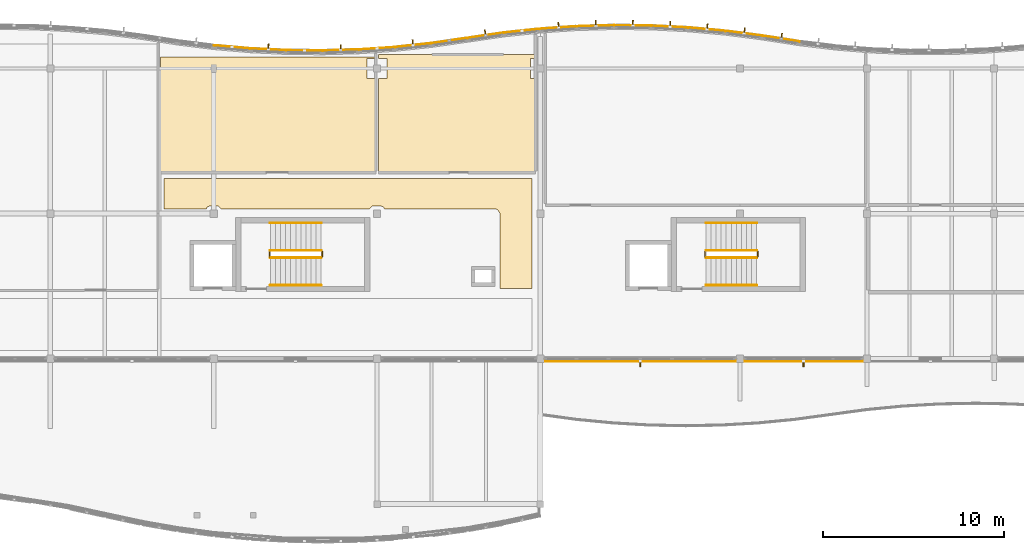
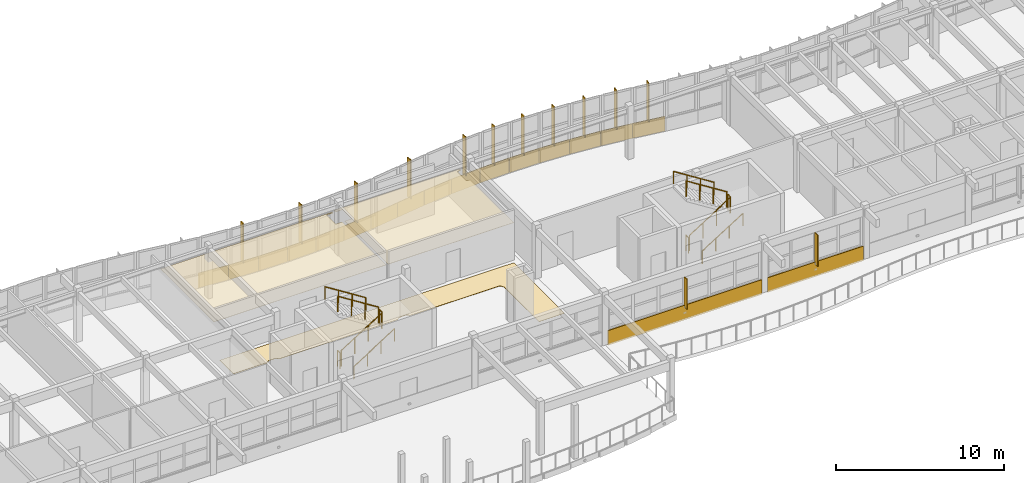
# One storey, part 62 of 63: 21 coverings, 13 shading devices, 12 railings.
"""IFC4 building model written with IfcOpenShell, lengths in metres."""

from ifc_helpers import new_model, si_unit, direction, frame, origin, origin_2d, place, context, subcontext, project, spatial, polyline, rectangle, circle, outline, extrude, material, layer, layer_set, type_object, element, save


model = new_model("IFC4")

# Units and contexts
model_context = context("Model", 3, precision=1e-05, world=origin(), true_north=direction((0.0, 1.0)))
body_context = subcontext(model_context, "Body", "Model", "MODEL_VIEW")
ifc_project = project(units=[si_unit("LENGTHUNIT", "METRE"), si_unit("AREAUNIT", "SQUARE_METRE"), si_unit("VOLUMEUNIT", "CUBIC_METRE"), si_unit("PLANEANGLEUNIT", "RADIAN"), si_unit("MASSUNIT", "GRAM", prefix="KILO")], contexts=[model_context])

# Site, building, storey
site_placement = place(None, origin())
site = spatial("IfcSite", under=ifc_project, at=site_placement, CompositionType="ELEMENT")
building_placement = place(site_placement, origin())
building = spatial("IfcBuilding", under=site, at=building_placement, Name="Tonlespit Floodbar School", CompositionType="ELEMENT")
storey_placement = place(building_placement, frame((0.0, 0.0, 8.39990234375)))
storey = spatial("IfcBuildingStorey", under=building, at=storey_placement, Name="L02", CompositionType="ELEMENT", Elevation=8.39990234375)

# Coverings
ifc_material_1 = material(Name="Acoustic Mineral Tile")
ifc_layer_1 = layer(ifc_material_1, 0.02001953125)
ifc_layer_set_1 = layer_set([ifc_layer_1], Name="Acoustic Mineral Tile")
covering_type_1 = type_object("IfcCoveringType", Name="Ceiling_Acoustic_20", PredefinedType="CEILING", material=ifc_layer_set_1)
covering_1_placement = place(storey_placement, frame((0.0, 0.0, 2.650146484375)))
element("IfcCovering", 1, at=covering_1_placement, inside=storey, type_object=covering_type_1, Name="L02 Upper Primary Classroom 204 acoustic ceiling", PredefinedType="CEILING", context=body_context, shape_type="SweptSolid", body=[
    extrude(outline(polyline([(106.449951171875, 119.449951171875), (106.929931640625, 119.449951171875), (106.929931640625, 114.27001953125), (95.070068359375, 114.27001953125), (95.070068359375, 120.64306640625), (106.929931640625, 120.64306640625), (106.929931640625, 120.550048828125), (106.449951171875, 120.550048828125), (106.449951171875, 119.449951171875)])), origin(), (0.0, 0.0, 1.0), 0.02001953125),
])
covering_2_placement = place(storey_placement, frame((0.0, 0.0, 2.650146484375)))
element("IfcCovering", 2, at=covering_2_placement, inside=storey, type_object=covering_type_1, Name="L02 Digital Media Classroom acoustic ceiling", PredefinedType="CEILING", context=body_context, shape_type="SweptSolid", body=[
    extrude(outline(polyline([(107.070068359375, 120.550048828125), (107.070068359375, 120.758544921875), (115.72998046875, 120.758544921875), (115.72998046875, 120.550048828125), (115.449951171875, 120.550048828125), (115.449951171875, 119.449951171875), (115.72998046875, 119.449951171875), (115.72998046875, 114.27001953125), (107.070068359375, 114.27001953125), (107.070068359375, 119.449951171875), (107.550048828125, 119.449951171875), (107.550048828125, 120.550048828125), (107.070068359375, 120.550048828125)])), origin(), (0.0, 0.0, 1.0), 0.02001953125),
])
ifc_material_2 = material(Name="White Architectural Aluminium", Category="aluminium")
ifc_layer_2 = layer(ifc_material_2, 0.050048828125)
ifc_layer_set_2 = layer_set([ifc_layer_2], Name="White Architectural Aluminium")
covering_type_2 = type_object("IfcCoveringType", Name="Cladding_WhiteBand_50", PredefinedType="CLADDING", material=ifc_layer_set_2)
covering_3_placement = place(storey_placement, frame((0.0, 0.0, -0.119873046875)))
element("IfcCovering", 3, at=covering_3_placement, inside=storey, type_object=covering_type_2, Name="L02 curved white spandrel cladding 0158", PredefinedType="CLADDING", context=body_context, shape_type="SweptSolid", body=[
    extrude(outline(polyline([(98.0087890625, 121.241943359375), (100.0087890625, 121.068115234375), (100.012939453125, 121.117919921875), (98.012939453125, 121.291748046875), (98.0087890625, 121.241943359375)])), origin(), (0.0, 0.0, 1.0), 1.070068359375),
])
covering_4_placement = place(storey_placement, frame((0.0, 0.0, -0.119873046875)))
element("IfcCovering", 4, at=covering_4_placement, inside=storey, type_object=covering_type_2, Name="L02 curved white spandrel cladding 0159", PredefinedType="CLADDING", context=body_context, shape_type="SweptSolid", body=[
    extrude(outline(polyline([(100.0048828125, 121.068359375), (102.0048828125, 120.97216796875), (102.007080078125, 121.02197265625), (100.007080078125, 121.118408203125), (100.0048828125, 121.068359375)])), origin(), (0.0, 0.0, 1.0), 1.070068359375),
])
covering_5_placement = place(storey_placement, frame((0.0, 0.0, -0.119873046875)))
element("IfcCovering", 5, at=covering_5_placement, inside=storey, type_object=covering_type_2, Name="L02 curved white spandrel cladding 0160", PredefinedType="CLADDING", context=body_context, shape_type="SweptSolid", body=[
    extrude(outline(polyline([(102.0009765625, 120.97216796875), (104.0009765625, 120.952880859375), (104.00146484375, 121.0029296875), (102.00146484375, 121.022216796875), (102.0009765625, 120.97216796875)])), origin(), (0.0, 0.0, 1.0), 1.070068359375),
])
covering_6_placement = place(storey_placement, frame((0.0, 0.0, -0.119873046875)))
element("IfcCovering", 6, at=covering_6_placement, inside=storey, type_object=covering_type_2, Name="L02 curved white spandrel cladding 0161", PredefinedType="CLADDING", context=body_context, shape_type="SweptSolid", body=[
    extrude(outline(polyline([(103.9970703125, 120.952880859375), (105.9970703125, 121.0107421875), (105.99560546875, 121.060791015625), (103.99560546875, 121.0029296875), (103.9970703125, 120.952880859375)])), origin(), (0.0, 0.0, 1.0), 1.070068359375),
])
covering_7_placement = place(storey_placement, frame((0.0, 0.0, -0.119873046875)))
element("IfcCovering", 7, at=covering_7_placement, inside=storey, type_object=covering_type_2, Name="L02 curved white spandrel cladding 0162", PredefinedType="CLADDING", context=body_context, shape_type="SweptSolid", body=[
    extrude(outline(polyline([(105.993408203125, 121.010498046875), (107.993408203125, 121.1455078125), (107.989990234375, 121.1953125), (105.989990234375, 121.060302734375), (105.993408203125, 121.010498046875)])), origin(), (0.0, 0.0, 1.0), 1.070068359375),
])
covering_8_placement = place(storey_placement, frame((0.0, 0.0, -0.119873046875)))
element("IfcCovering", 8, at=covering_8_placement, inside=storey, type_object=covering_type_2, Name="L02 curved white spandrel cladding 0163", PredefinedType="CLADDING", context=body_context, shape_type="SweptSolid", body=[
    extrude(outline(polyline([(107.989501953125, 121.14501953125), (109.989501953125, 121.35791015625), (109.984130859375, 121.407470703125), (107.984130859375, 121.19482421875), (107.989501953125, 121.14501953125)])), origin(), (0.0, 0.0, 1.0), 1.070068359375),
])
covering_9_placement = place(storey_placement, frame((0.0, 0.0, -0.119873046875)))
element("IfcCovering", 9, at=covering_9_placement, inside=storey, type_object=covering_type_2, Name="L02 curved white spandrel cladding 0164", PredefinedType="CLADDING", context=body_context, shape_type="SweptSolid", body=[
    extrude(outline(polyline([(109.985595703125, 121.357421875), (111.985595703125, 121.64892578125), (111.978515625, 121.698486328125), (109.978515625, 121.406982421875), (109.985595703125, 121.357421875)])), origin(), (0.0, 0.0, 1.0), 1.070068359375),
])
covering_10_placement = place(storey_placement, frame((0.0, 0.0, -0.119873046875)))
element("IfcCovering", 10, at=covering_10_placement, inside=storey, type_object=covering_type_2, Name="L02 curved white spandrel cladding 0165", PredefinedType="CLADDING", context=body_context, shape_type="SweptSolid", body=[
    extrude(outline(polyline([(111.985595703125, 121.64892578125), (113.985595703125, 121.940673828125), (113.978515625, 121.989990234375), (111.978515625, 121.698486328125), (111.985595703125, 121.64892578125)])), origin(), (0.0, 0.0, 1.0), 1.070068359375),
])
covering_11_placement = place(storey_placement, frame((0.0, 0.0, -0.119873046875)))
element("IfcCovering", 11, at=covering_11_placement, inside=storey, type_object=covering_type_2, Name="L02 curved white spandrel cladding 0166", PredefinedType="CLADDING", context=body_context, shape_type="SweptSolid", body=[
    extrude(outline(polyline([(113.989501953125, 121.94091796875), (115.989501953125, 122.15380859375), (115.984130859375, 122.203369140625), (113.984130859375, 121.99072265625), (113.989501953125, 121.94091796875)])), origin(), (0.0, 0.0, 1.0), 1.070068359375),
])
covering_12_placement = place(storey_placement, frame((0.0, 0.0, -0.119873046875)))
element("IfcCovering", 12, at=covering_12_placement, inside=storey, type_object=covering_type_2, Name="L02 curved white spandrel cladding 0664", PredefinedType="CLADDING", context=body_context, shape_type="SweptSolid", body=[
    extrude(outline(polyline([(115.993408203125, 122.154052734375), (118.03173828125, 122.291015625), (118.028564453125, 122.3408203125), (115.989990234375, 122.2041015625), (115.993408203125, 122.154052734375)])), origin(), (0.0, 0.0, 1.0), 1.070068359375),
])
covering_13_placement = place(storey_placement, frame((0.0, 0.0, -0.119873046875)))
element("IfcCovering", 13, at=covering_13_placement, inside=storey, type_object=covering_type_2, Name="L02 curved white spandrel cladding 0665", PredefinedType="CLADDING", context=body_context, shape_type="SweptSolid", body=[
    extrude(outline(polyline([(118.03564453125, 122.291015625), (120.07421875, 122.34765625), (120.07275390625, 122.397705078125), (118.0341796875, 122.341064453125), (118.03564453125, 122.291015625)])), origin(), (0.0, 0.0, 1.0), 1.070068359375),
])
covering_14_placement = place(storey_placement, frame((0.0, 0.0, -0.119873046875)))
element("IfcCovering", 14, at=covering_14_placement, inside=storey, type_object=covering_type_2, Name="L02 curved white spandrel cladding 0666", PredefinedType="CLADDING", context=body_context, shape_type="SweptSolid", body=[
    extrude(outline(polyline([(120.077880859375, 122.34765625), (122.116455078125, 122.32421875), (122.1171875, 122.374267578125), (120.07861328125, 122.397705078125), (120.077880859375, 122.34765625)])), origin(), (0.0, 0.0, 1.0), 1.070068359375),
])
covering_15_placement = place(storey_placement, frame((0.0, 0.0, -0.119873046875)))
element("IfcCovering", 15, at=covering_15_placement, inside=storey, type_object=covering_type_2, Name="L02 curved white spandrel cladding 0667", PredefinedType="CLADDING", context=body_context, shape_type="SweptSolid", body=[
    extrude(outline(polyline([(122.12060546875, 122.32421875), (124.158935546875, 122.220703125), (124.161376953125, 122.270751953125), (122.123046875, 122.3740234375), (122.12060546875, 122.32421875)])), origin(), (0.0, 0.0, 1.0), 1.070068359375),
])
covering_16_placement = place(storey_placement, frame((0.0, 0.0, -0.119873046875)))
element("IfcCovering", 16, at=covering_16_placement, inside=storey, type_object=covering_type_2, Name="L02 curved white spandrel cladding 0668", PredefinedType="CLADDING", context=body_context, shape_type="SweptSolid", body=[
    extrude(outline(polyline([(124.162841796875, 122.220458984375), (126.201416015625, 122.03662109375), (126.205810546875, 122.086181640625), (124.167236328125, 122.270263671875), (124.162841796875, 122.220458984375)])), origin(), (0.0, 0.0, 1.0), 1.070068359375),
])
covering_17_placement = place(storey_placement, frame((0.0, 0.0, -0.119873046875)))
element("IfcCovering", 17, at=covering_17_placement, inside=storey, type_object=covering_type_2, Name="L02 curved white spandrel cladding 0669", PredefinedType="CLADDING", context=body_context, shape_type="SweptSolid", body=[
    extrude(outline(polyline([(126.205078125, 122.0361328125), (128.24365234375, 121.770751953125), (128.250244140625, 121.8203125), (126.211669921875, 122.085693359375), (126.205078125, 122.0361328125)])), origin(), (0.0, 0.0, 1.0), 1.070068359375),
])
covering_18_placement = place(storey_placement, frame((0.0, 0.0, -0.119873046875)))
element("IfcCovering", 18, at=covering_18_placement, inside=storey, type_object=covering_type_2, Name="L02 curved white spandrel cladding 0670", PredefinedType="CLADDING", context=body_context, shape_type="SweptSolid", body=[
    extrude(outline(polyline([(128.24609375, 121.770263671875), (130.284423828125, 121.45458984375), (130.292236328125, 121.50390625), (128.25390625, 121.819580078125), (128.24609375, 121.770263671875)])), origin(), (0.0, 0.0, 1.0), 1.070068359375),
])
covering_19_placement = place(storey_placement, frame((0.0, 0.0, -0.119873046875)))
element("IfcCovering", 19, at=covering_19_placement, inside=storey, type_object=covering_type_2, Name="L02 curved white spandrel cladding 0695", PredefinedType="CLADDING", context=body_context, shape_type="SweptSolid", body=[
    extrude(outline(polyline([(133.800048828125, 103.89990234375), (127.199951171875, 103.89990234375), (127.199951171875, 103.85009765625), (133.800048828125, 103.85009765625), (133.800048828125, 103.89990234375)])), origin(), (0.0, 0.0, 1.0), 1.070068359375),
])
covering_20_placement = place(storey_placement, frame((0.0, 0.0, -0.119873046875)))
element("IfcCovering", 20, at=covering_20_placement, inside=storey, type_object=covering_type_2, Name="L02 curved white spandrel cladding 0696", PredefinedType="CLADDING", context=body_context, shape_type="SweptSolid", body=[
    extrude(outline(polyline([(126.800048828125, 103.89990234375), (116.199951171875, 103.89990234375), (116.199951171875, 103.85009765625), (126.800048828125, 103.85009765625), (126.800048828125, 103.89990234375)])), origin(), (0.0, 0.0, 1.0), 1.070068359375),
])
ifc_material_3 = material(Name="Terrazzo Tile")
ifc_layer_3 = layer(ifc_material_3, 0.02001953125)
ifc_layer_set_3 = layer_set([ifc_layer_3], Name="Terrazzo Tile")
covering_type_3 = type_object("IfcCoveringType", Name="Flooring_Terrazzo_20", PredefinedType="FLOORING", material=ifc_layer_set_3)
covering_21_placement = place(storey_placement, origin())
element("IfcCovering", 21, at=covering_21_placement, inside=storey, type_object=covering_type_3, Name="L02 East Lobby Passage L02 terrazzo flooring", PredefinedType="FLOORING", context=body_context, shape_type="SweptSolid", body=[
    extrude(outline(polyline([(97.586669921875, 112.27001953125), (95.27001953125, 112.27001953125), (95.27001953125, 113.929931640625), (115.530029296875, 113.929931640625), (115.530029296875, 107.8701171875), (113.77001953125, 107.8701171875), (113.76904296875, 112.01953125), (113.66845703125, 112.195556640625), (113.552734375, 112.264892578125), (107.413330078125, 112.27001953125), (107.346923828125, 112.37451171875), (107.219970703125, 112.419921875), (106.740966796875, 112.416259765625), (106.586669921875, 112.27001953125), (98.413330078125, 112.27001953125), (98.259033203125, 112.416259765625), (97.780029296875, 112.419921875), (97.653076171875, 112.37451171875), (97.586669921875, 112.27001953125)])), origin(), (0.0, 0.0, 1.0), 0.02001953125),
])

# Railings
ifc_material_4 = material(Name="Galvanised Steel", Category="steel")
railing_type_1 = type_object("IfcRailingType", Name="Guard_Int_1150", PredefinedType="BALUSTRADE", material=ifc_material_4)
railing_1_placement = place(storey_placement, frame((101.1201171875, 109.570068359375, 0.177490234375)))
element("IfcRailing", 22, at=railing_1_placement, inside=storey, type_object=railing_type_1, Name="L02 ST-C2 stair guard 1", PredefinedType="BALUSTRADE", context=body_context, shape_type="SweptSolid", body=[
    extrude(circle(Radius=0.02392578125, at=origin_2d()), frame((0.0, 0.0, 1.1259765625), z_axis=(0.844887892834, 0.0, 0.53494340686), x_axis=(0.0, 1.0, 0.0)), (0.0, 0.0, 1.0), 3.313720703125),
    extrude(circle(Radius=0.02099609375, at=origin_2d()), origin(), (0.0, 0.0, 1.0), 1.101806640625),
    extrude(circle(Radius=0.02099609375, at=origin_2d()), frame((0.933349609375, 0.0, 0.5908203125)), (0.0, 0.0, 1.0), 1.101806640625),
    extrude(circle(Radius=0.02099609375, at=origin_2d()), frame((1.866455078125, 0.0, 1.181884765625)), (0.0, 0.0, 1.0), 1.101806640625),
    extrude(circle(Radius=0.02099609375, at=origin_2d()), frame((2.7998046875, 0.0, 1.772705078125)), (0.0, 0.0, 1.0), 1.101806640625),
])
railing_2_placement = place(storey_placement, frame((103.969970703125, 109.6201171875, 1.9501953125)))
element("IfcRailing", 23, at=railing_2_placement, inside=storey, type_object=railing_type_1, Name="L02 ST-C2 stair guard 2", PredefinedType="BALUSTRADE", context=body_context, shape_type="SweptSolid", body=[
    extrude(circle(Radius=0.02392578125, at=origin_2d()), frame((0.0, 0.0, 1.1259765625), z_axis=(0.0, 1.0, 0.0), x_axis=(-1.0, 0.0, 0.0)), (0.0, 0.0, 1.0), 0.2998046875),
    extrude(circle(Radius=0.02099609375, at=origin_2d()), origin(), (0.0, 0.0, 1.0), 1.101806640625),
    extrude(circle(Radius=0.02099609375, at=origin_2d()), frame((0.0, 0.2998046875, 0.0)), (0.0, 0.0, 1.0), 1.101806640625),
])
railing_3_placement = place(storey_placement, frame((103.919921875, 109.969970703125, 2.12744140625)))
element("IfcRailing", 24, at=railing_3_placement, inside=storey, type_object=railing_type_1, Name="L02 ST-C2 stair guard 3", PredefinedType="BALUSTRADE", context=body_context, shape_type="SweptSolid", body=[
    extrude(circle(Radius=0.02392578125, at=origin_2d()), frame((0.0, 0.0, 1.1259765625), z_axis=(-0.844887892834, 0.0, 0.53494340686), x_axis=(0.0, -1.0, 0.0)), (0.0, 0.0, 1.0), 3.313720703125),
    extrude(circle(Radius=0.02099609375, at=origin_2d()), origin(), (0.0, 0.0, 1.0), 1.101806640625),
    extrude(circle(Radius=0.02099609375, at=origin_2d()), frame((-0.933349609375, 0.0, 0.5908203125)), (0.0, 0.0, 1.0), 1.101806640625),
    extrude(circle(Radius=0.02099609375, at=origin_2d()), frame((-1.866455078125, 0.0, 1.181884765625)), (0.0, 0.0, 1.0), 1.101806640625),
    extrude(circle(Radius=0.02099609375, at=origin_2d()), frame((-2.7998046875, 0.0, 1.772705078125)), (0.0, 0.0, 1.0), 1.101806640625),
])
railing_4_placement = place(storey_placement, frame((101.070068359375, 109.6201171875, 0.0)))
element("IfcRailing", 25, at=railing_4_placement, inside=storey, type_object=railing_type_1, Name="L02 ST-C2 stair guard 4", PredefinedType="BALUSTRADE", context=body_context, shape_type="SweptSolid", body=[
    extrude(circle(Radius=0.02392578125, at=origin_2d()), frame((0.0, 0.0, 1.1259765625), z_axis=(0.0, 1.0, 0.0), x_axis=(-1.0, 0.0, 0.0)), (0.0, 0.0, 1.0), 0.2998046875),
    extrude(circle(Radius=0.02099609375, at=origin_2d()), origin(), (0.0, 0.0, 1.0), 1.101806640625),
    extrude(circle(Radius=0.02099609375, at=origin_2d()), frame((0.0, 0.2998046875, 0.0)), (0.0, 0.0, 1.0), 1.101806640625),
])
railing_5_placement = place(storey_placement, frame((125.1201171875, 109.570068359375, 0.177490234375)))
element("IfcRailing", 26, at=railing_5_placement, inside=storey, type_object=railing_type_1, Name="L02 ST-C4 stair guard 1", PredefinedType="BALUSTRADE", context=body_context, shape_type="SweptSolid", body=[
    extrude(circle(Radius=0.02392578125, at=origin_2d()), frame((0.0, 0.0, 1.1259765625), z_axis=(0.844887892834, 0.0, 0.53494340686), x_axis=(0.0, 1.0, 0.0)), (0.0, 0.0, 1.0), 3.313720703125),
    extrude(circle(Radius=0.02099609375, at=origin_2d()), origin(), (0.0, 0.0, 1.0), 1.101806640625),
    extrude(circle(Radius=0.02099609375, at=origin_2d()), frame((0.933349609375, 0.0, 0.5908203125)), (0.0, 0.0, 1.0), 1.101806640625),
    extrude(circle(Radius=0.02099609375, at=origin_2d()), frame((1.866455078125, 0.0, 1.181884765625)), (0.0, 0.0, 1.0), 1.101806640625),
    extrude(circle(Radius=0.02099609375, at=origin_2d()), frame((2.7998046875, 0.0, 1.772705078125)), (0.0, 0.0, 1.0), 1.101806640625),
])
railing_6_placement = place(storey_placement, frame((127.969970703125, 109.6201171875, 1.9501953125)))
element("IfcRailing", 27, at=railing_6_placement, inside=storey, type_object=railing_type_1, Name="L02 ST-C4 stair guard 2", PredefinedType="BALUSTRADE", context=body_context, shape_type="SweptSolid", body=[
    extrude(circle(Radius=0.02392578125, at=origin_2d()), frame((0.0, 0.0, 1.1259765625), z_axis=(0.0, 1.0, 0.0), x_axis=(-1.0, 0.0, 0.0)), (0.0, 0.0, 1.0), 0.2998046875),
    extrude(circle(Radius=0.02099609375, at=origin_2d()), origin(), (0.0, 0.0, 1.0), 1.101806640625),
    extrude(circle(Radius=0.02099609375, at=origin_2d()), frame((0.0, 0.2998046875, 0.0)), (0.0, 0.0, 1.0), 1.101806640625),
])
railing_7_placement = place(storey_placement, frame((127.919921875, 109.969970703125, 2.12744140625)))
element("IfcRailing", 28, at=railing_7_placement, inside=storey, type_object=railing_type_1, Name="L02 ST-C4 stair guard 3", PredefinedType="BALUSTRADE", context=body_context, shape_type="SweptSolid", body=[
    extrude(circle(Radius=0.02392578125, at=origin_2d()), frame((0.0, 0.0, 1.1259765625), z_axis=(-0.844887892834, 0.0, 0.53494340686), x_axis=(0.0, -1.0, 0.0)), (0.0, 0.0, 1.0), 3.313720703125),
    extrude(circle(Radius=0.02099609375, at=origin_2d()), origin(), (0.0, 0.0, 1.0), 1.101806640625),
    extrude(circle(Radius=0.02099609375, at=origin_2d()), frame((-0.933349609375, 0.0, 0.5908203125)), (0.0, 0.0, 1.0), 1.101806640625),
    extrude(circle(Radius=0.02099609375, at=origin_2d()), frame((-1.866455078125, 0.0, 1.181884765625)), (0.0, 0.0, 1.0), 1.101806640625),
    extrude(circle(Radius=0.02099609375, at=origin_2d()), frame((-2.7998046875, 0.0, 1.772705078125)), (0.0, 0.0, 1.0), 1.101806640625),
])
railing_8_placement = place(storey_placement, frame((125.070068359375, 109.6201171875, 0.0)))
element("IfcRailing", 29, at=railing_8_placement, inside=storey, type_object=railing_type_1, Name="L02 ST-C4 stair guard 4", PredefinedType="BALUSTRADE", context=body_context, shape_type="SweptSolid", body=[
    extrude(circle(Radius=0.02392578125, at=origin_2d()), frame((0.0, 0.0, 1.1259765625), z_axis=(0.0, 1.0, 0.0), x_axis=(-1.0, 0.0, 0.0)), (0.0, 0.0, 1.0), 0.2998046875),
    extrude(circle(Radius=0.02099609375, at=origin_2d()), origin(), (0.0, 0.0, 1.0), 1.101806640625),
    extrude(circle(Radius=0.02099609375, at=origin_2d()), frame((0.0, 0.2998046875, 0.0)), (0.0, 0.0, 1.0), 1.101806640625),
])
railing_type_2 = type_object("IfcRailingType", Name="Handrail_Int_920", PredefinedType="HANDRAIL", material=ifc_material_4)
railing_9_placement = place(storey_placement, frame((101.1201171875, 108.050048828125, 0.177490234375)))
element("IfcRailing", 30, at=railing_9_placement, inside=storey, type_object=railing_type_2, Name="L02 ST-C2 stair handrail 1", PredefinedType="HANDRAIL", context=body_context, shape_type="SweptSolid", body=[
    extrude(circle(Radius=0.02392578125, at=origin_2d()), frame((0.0, 0.0, 0.89599609375), z_axis=(0.844887892834, 0.0, 0.53494340686), x_axis=(0.0, 1.0, 0.0)), (0.0, 0.0, 1.0), 3.313720703125),
    extrude(circle(Radius=0.02099609375, at=origin_2d()), origin(), (0.0, 0.0, 1.0), 0.871826171875),
    extrude(circle(Radius=0.02099609375, at=origin_2d()), frame((0.933349609375, 0.0, 0.5908203125)), (0.0, 0.0, 1.0), 0.871826171875),
    extrude(circle(Radius=0.02099609375, at=origin_2d()), frame((1.866455078125, 0.0, 1.181884765625)), (0.0, 0.0, 1.0), 0.871826171875),
    extrude(circle(Radius=0.02099609375, at=origin_2d()), frame((2.7998046875, 0.0, 1.772705078125)), (0.0, 0.0, 1.0), 0.871826171875),
])
railing_10_placement = place(storey_placement, frame((103.919921875, 111.489990234375, 2.12744140625)))
element("IfcRailing", 31, at=railing_10_placement, inside=storey, type_object=railing_type_2, Name="L02 ST-C2 stair handrail 2", PredefinedType="HANDRAIL", context=body_context, shape_type="SweptSolid", body=[
    extrude(circle(Radius=0.02392578125, at=origin_2d()), frame((0.0, 0.0, 0.89599609375), z_axis=(-0.844887892834, 0.0, 0.53494340686), x_axis=(0.0, -1.0, 0.0)), (0.0, 0.0, 1.0), 3.313720703125),
    extrude(circle(Radius=0.02099609375, at=origin_2d()), origin(), (0.0, 0.0, 1.0), 0.871826171875),
    extrude(circle(Radius=0.02099609375, at=origin_2d()), frame((-0.933349609375, 0.0, 0.5908203125)), (0.0, 0.0, 1.0), 0.871826171875),
    extrude(circle(Radius=0.02099609375, at=origin_2d()), frame((-1.866455078125, 0.0, 1.181884765625)), (0.0, 0.0, 1.0), 0.871826171875),
    extrude(circle(Radius=0.02099609375, at=origin_2d()), frame((-2.7998046875, 0.0, 1.772705078125)), (0.0, 0.0, 1.0), 0.871826171875),
])
railing_11_placement = place(storey_placement, frame((125.1201171875, 108.050048828125, 0.177490234375)))
element("IfcRailing", 32, at=railing_11_placement, inside=storey, type_object=railing_type_2, Name="L02 ST-C4 stair handrail 1", PredefinedType="HANDRAIL", context=body_context, shape_type="SweptSolid", body=[
    extrude(circle(Radius=0.02392578125, at=origin_2d()), frame((0.0, 0.0, 0.89599609375), z_axis=(0.844887892834, 0.0, 0.53494340686), x_axis=(0.0, 1.0, 0.0)), (0.0, 0.0, 1.0), 3.313720703125),
    extrude(circle(Radius=0.02099609375, at=origin_2d()), origin(), (0.0, 0.0, 1.0), 0.871826171875),
    extrude(circle(Radius=0.02099609375, at=origin_2d()), frame((0.933349609375, 0.0, 0.5908203125)), (0.0, 0.0, 1.0), 0.871826171875),
    extrude(circle(Radius=0.02099609375, at=origin_2d()), frame((1.866455078125, 0.0, 1.181884765625)), (0.0, 0.0, 1.0), 0.871826171875),
    extrude(circle(Radius=0.02099609375, at=origin_2d()), frame((2.7998046875, 0.0, 1.772705078125)), (0.0, 0.0, 1.0), 0.871826171875),
])
railing_12_placement = place(storey_placement, frame((127.919921875, 111.489990234375, 2.12744140625)))
element("IfcRailing", 33, at=railing_12_placement, inside=storey, type_object=railing_type_2, Name="L02 ST-C4 stair handrail 2", PredefinedType="HANDRAIL", context=body_context, shape_type="SweptSolid", body=[
    extrude(circle(Radius=0.02392578125, at=origin_2d()), frame((0.0, 0.0, 0.89599609375), z_axis=(-0.844887892834, 0.0, 0.53494340686), x_axis=(0.0, -1.0, 0.0)), (0.0, 0.0, 1.0), 3.313720703125),
    extrude(circle(Radius=0.02099609375, at=origin_2d()), origin(), (0.0, 0.0, 1.0), 0.871826171875),
    extrude(circle(Radius=0.02099609375, at=origin_2d()), frame((-0.933349609375, 0.0, 0.5908203125)), (0.0, 0.0, 1.0), 0.871826171875),
    extrude(circle(Radius=0.02099609375, at=origin_2d()), frame((-1.866455078125, 0.0, 1.181884765625)), (0.0, 0.0, 1.0), 0.871826171875),
    extrude(circle(Radius=0.02099609375, at=origin_2d()), frame((-2.7998046875, 0.0, 1.772705078125)), (0.0, 0.0, 1.0), 0.871826171875),
])

# Shading devices
ifc_material_5 = material(Name="Terracotta Anodised Aluminium", Category="masonry")
ifc_layer_4 = layer(ifc_material_5, 0.06005859375)
ifc_layer_set_4 = layer_set([ifc_layer_4], Name="Terracotta Anodised Aluminium")
shading_device_type = type_object("IfcShadingDeviceType", Name="Shading_SolarFin_350", PredefinedType="USERDEFINED", material=ifc_layer_set_4)
for number, where, z_axis, x_axis, name in (
    (34, (101.012451171875, 121.179931640625, 0.800048828125), (0.0, 0.0, 1.0), (0.998842769234, -0.048094930587, 0.0), "L02 vertical solar fin 051"),
    (35, (104.992431640625, 121.1416015625, 0.800048828125), (0.0, 0.0, 1.0), (0.999584110869, 0.02883756748, 0.0), "L02 vertical solar fin 052"),
    (36, (108.972412109375, 121.41064453125, 0.800048828125), (0.0, 0.0, 1.0), (0.99439234017, 0.105753835922, 0.0), "L02 vertical solar fin 053"),
    (37, (112.96240234375, 121.953125, 0.800048828125), (0.0, 0.0, 1.0), (0.989537627347, 0.144275029245, 0.0), "L02 vertical solar fin 054"),
    (38, (117.001708984375, 122.382080078125, 0.800048828125), (0.0, 0.0, 1.0), (0.997755775351, 0.066958291148, 0.0), "L02 vertical solar fin 267"),
    (39, (119.050537109375, 122.479248046875, 0.800048828125), (0.0, 0.0, 1.0), (0.999614730883, 0.027755896707, 0.0), "L02 vertical solar fin 268"),
    (40, (121.09912109375, 122.49609375, 0.800048828125), (0.0, 0.0, 1.0), (0.999934116653, -0.011478778397, 0.0), "L02 vertical solar fin 269"),
    (41, (123.147705078125, 122.432373046875, 0.800048828125), (0.0, 0.0, 1.0), (0.998715911118, -0.05066092063, 0.0), "L02 vertical solar fin 270"),
    (42, (125.1962890625, 122.287841796875, 0.800048828125), (0.0, 0.0, 1.0), (0.995951038909, -0.089897319734, 0.0), "L02 vertical solar fin 271"),
    (43, (127.2451171875, 122.06201171875, 0.800048828125), (0.0, 0.0, 1.0), (0.99163110178, -0.129103671456, 0.0), "L02 vertical solar fin 272"),
    (44, (129.289794921875, 121.7705078125, 0.800048828125), (0.0, 0.0, 1.0), (0.988218232868, -0.153051377736, 0.0), "L02 vertical solar fin 273"),
):
    element("IfcShadingDevice", number, at=place(storey_placement, frame(where, z_axis=z_axis, x_axis=x_axis)), inside=storey, type_object=shading_device_type, Name=name, ObjectType="SOLAR FIN", PredefinedType="USERDEFINED", context=body_context, shape_type="SweptSolid", body=[
        extrude(rectangle(XDim=0.06005859375, YDim=0.35009765625, at=origin_2d()), origin(), (0.0, 0.0, 1.0), 2.85009765625),
    ])
shading_device_1_placement = place(storey_placement, frame((130.5, 103.739990234375, 0.80029296875), z_axis=(0.0, 0.0, 1.0), x_axis=(-1.0, 0.0, 0.0)))
element("IfcShadingDevice", 45, at=shading_device_1_placement, inside=storey, type_object=shading_device_type, Name="L02 vertical solar fin 296", ObjectType="SOLAR FIN", PredefinedType="USERDEFINED", context=body_context, shape_type="SweptSolid", body=[
    extrude(rectangle(XDim=0.06005859375, YDim=0.35009765625, at=origin_2d()), origin(), (0.0, 0.0, 1.0), 2.284912109375),
])
shading_device_2_placement = place(storey_placement, frame((121.5, 103.739990234375, 0.800048828125), z_axis=(0.0, 0.0, 1.0), x_axis=(-1.0, 0.0, 0.0)))
element("IfcShadingDevice", 46, at=shading_device_2_placement, inside=storey, type_object=shading_device_type, Name="L02 vertical solar fin 297", ObjectType="SOLAR FIN", PredefinedType="USERDEFINED", context=body_context, shape_type="SweptSolid", body=[
    extrude(rectangle(XDim=0.06005859375, YDim=0.35009765625, at=origin_2d()), origin(), (0.0, 0.0, 1.0), 2.205078125),
])

save(model, "model.ifc")
